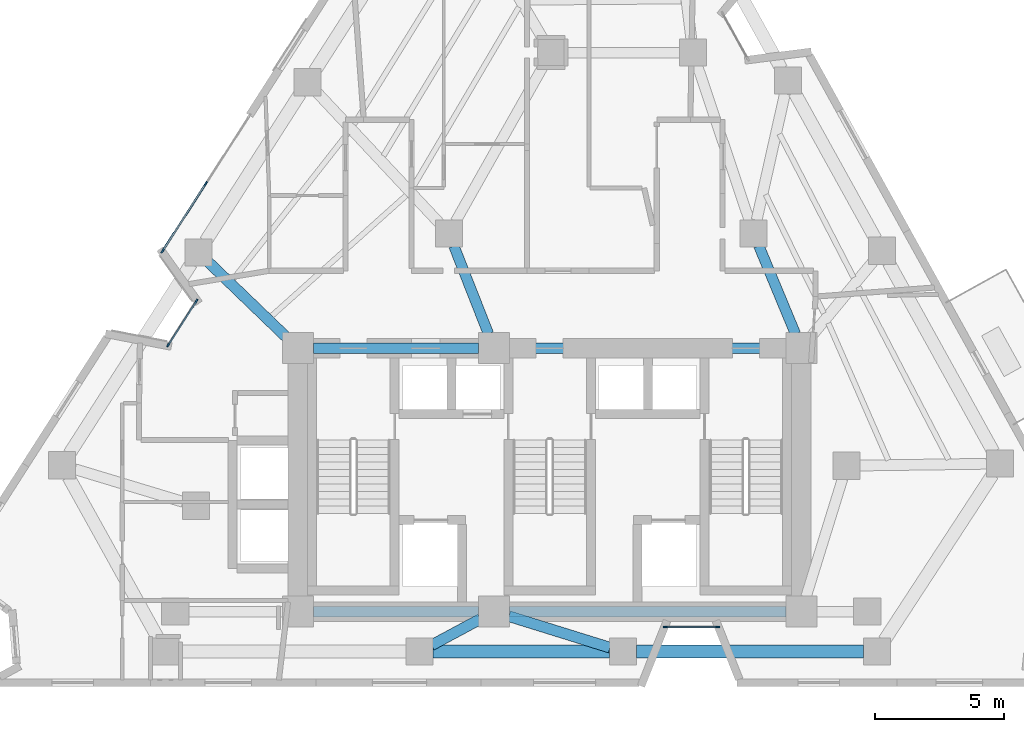
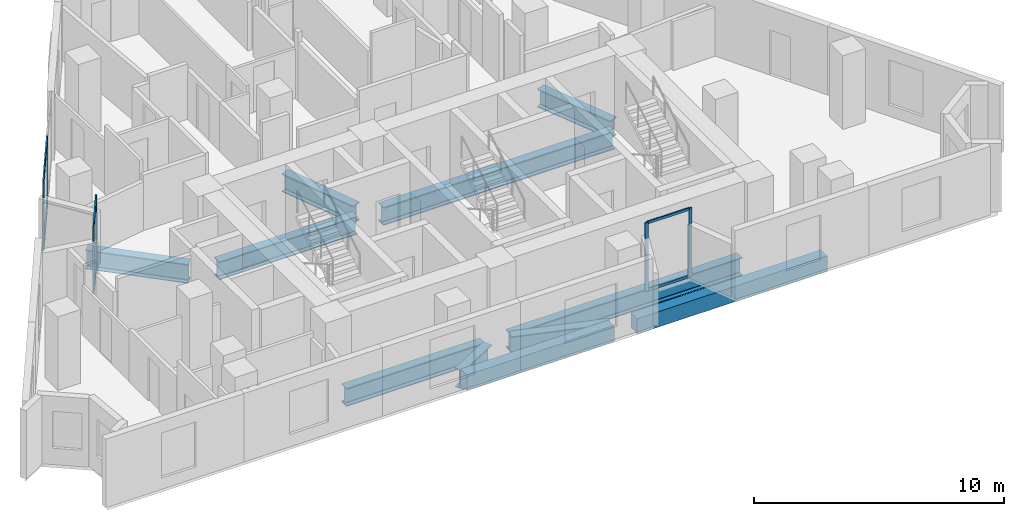
# One storey, part 2 of 11: 12 members, 11 beams, 3 elements without a shape of their own.
"""IFC4 building model written with IfcOpenShell, lengths in metres."""

from ifc_helpers import new_model, si_unit, direction, frame, origin, origin_2d, place, context, subcontext, project, spatial, rectangle, i_section, extrude, material, layer, layer_set, material_profile, profile_set, type_object, element, aggregate, save


model = new_model("IFC4")

# Units and contexts
model_context = context("Model", 3, precision=1e-05, world=origin(), true_north=direction((0.0, 1.0)))
body_context = subcontext(model_context, "Body", "Model", "MODEL_VIEW")
ifc_project = project(units=[si_unit("LENGTHUNIT", "METRE"), si_unit("AREAUNIT", "SQUARE_METRE"), si_unit("VOLUMEUNIT", "CUBIC_METRE"), si_unit("PLANEANGLEUNIT", "RADIAN"), si_unit("MASSUNIT", "GRAM", prefix="KILO")], contexts=[model_context])

# Site, building, storey
site_placement = place(None, origin())
site = spatial("IfcSite", under=ifc_project, at=site_placement, CompositionType="ELEMENT")
building_placement = place(site_placement, origin())
building = spatial("IfcBuilding", under=site, at=building_placement, Name="Almagre Mirador Tower", CompositionType="ELEMENT")
storey_placement = place(building_placement, frame((0.0, 0.0, 160.800048828125)))
storey = spatial("IfcBuildingStorey", under=building, at=storey_placement, Name="L41", CompositionType="ELEMENT", Elevation=160.800048828125)

# Beams
ifc_material_1 = material(Name="Precast concrete C50/60", Category="concrete")
ifc_material_profile_1 = material_profile(ifc_material_1, rectangle(XDim=0.5, YDim=0.75, at=origin_2d()), Name="RC500X750")
ifc_profile_set_1 = profile_set([ifc_material_profile_1], Name="Precast concrete C50/60")
beam_type_1 = type_object("IfcBeamType", Name="BM-SPN-RC500X750", PredefinedType="SPANDREL", material=ifc_profile_set_1)
beam_1_placement = place(storey_placement, frame((32.7890625, 3.0, -0.625), z_axis=(1.0, 0.0, 0.0), x_axis=(0.0, 1.0, 0.0)))
element("IfcBeam", 1, at=beam_1_placement, inside=storey, type_object=beam_type_1, Name="L41 perimeter spandrel beam PC02-PC03", PredefinedType="SPANDREL", context=body_context, shape_type="SweptSolid", body=[
    extrude(rectangle(XDim=0.5, YDim=0.75, at=origin_2d()), origin(), (0.0, 0.0, 1.0), 6.822021484375),
])
beam_2_placement = place(storey_placement, frame((40.660888671875, 3.0, -0.625), z_axis=(1.0, 0.0, 0.0), x_axis=(0.0, 1.0, 0.0)))
element("IfcBeam", 2, at=beam_2_placement, inside=storey, type_object=beam_type_1, Name="L41 perimeter spandrel beam PC03-PC04", PredefinedType="SPANDREL", context=body_context, shape_type="SweptSolid", body=[
    extrude(rectangle(XDim=0.5, YDim=0.75, at=origin_2d()), origin(), (0.0, 0.0, 1.0), 8.7900390625),
])
ifc_material_2 = material(Name="Steel ASTM A992 Grade 50", Category="steel")
ifc_material_profile_2 = material_profile(ifc_material_2, i_section(OverallWidth=0.404052734375, OverallDepth=0.884033203125, WebThickness=0.0244140625, FlangeThickness=0.0439453125, FilletRadius=0.02490234375, at=origin_2d()), Name="W33X291")
ifc_profile_set_2 = profile_set([ifc_material_profile_2], Name="Steel ASTM A992 Grade 50")
beam_type_2 = type_object("IfcBeamType", Name="BM-STL-W33X291", PredefinedType="BEAM", material=ifc_profile_set_2)
beam_3_placement = place(storey_placement, frame((28.14990234375, 4.550048828125, -0.692138671875), z_axis=(1.0, 0.0, 0.0), x_axis=(0.0, 1.0, 0.0)))
element("IfcBeam", 3, at=beam_3_placement, inside=storey, type_object=beam_type_2, Name="L41 core tie girder CC1-CC2", PredefinedType="BEAM", context=body_context, shape_type="SweptSolid", body=[
    extrude(i_section(OverallWidth=0.404052734375, OverallDepth=0.884033203125, WebThickness=0.0244140625, FlangeThickness=0.0439453125, FilletRadius=0.02490234375, at=origin_2d()), origin(), (0.0, 0.0, 1.0), 6.400146484375),
])
beam_4_placement = place(storey_placement, frame((35.75, 4.550048828125, -0.692138671875), z_axis=(1.0, 0.0, 0.0), x_axis=(0.0, 1.0, 0.0)))
element("IfcBeam", 4, at=beam_4_placement, inside=storey, type_object=beam_type_2, Name="L41 core tie girder CC2-CC3", PredefinedType="BEAM", context=body_context, shape_type="SweptSolid", body=[
    extrude(i_section(OverallWidth=0.404052734375, OverallDepth=0.884033203125, WebThickness=0.0244140625, FlangeThickness=0.0439453125, FilletRadius=0.02490234375, at=origin_2d()), origin(), (0.0, 0.0, 1.0), 10.699951171875),
])
beam_5_placement = place(storey_placement, frame((28.14990234375, 14.75, -0.692138671875), z_axis=(1.0, 0.0, 0.0), x_axis=(0.0, 1.0, 0.0)))
element("IfcBeam", 5, at=beam_5_placement, inside=storey, type_object=beam_type_2, Name="L41 core tie girder CC4-CC5", PredefinedType="BEAM", context=body_context, shape_type="SweptSolid", body=[
    extrude(i_section(OverallWidth=0.404052734375, OverallDepth=0.884033203125, WebThickness=0.0244140625, FlangeThickness=0.0439453125, FilletRadius=0.02490234375, at=origin_2d()), origin(), (0.0, 0.0, 1.0), 6.400146484375),
])
beam_6_placement = place(storey_placement, frame((35.75, 14.75, -0.692138671875), z_axis=(1.0, 0.0, 0.0), x_axis=(0.0, 1.0, 0.0)))
element("IfcBeam", 6, at=beam_6_placement, inside=storey, type_object=beam_type_2, Name="L41 core tie girder CC5-CC6", PredefinedType="BEAM", context=body_context, shape_type="SweptSolid", body=[
    extrude(i_section(OverallWidth=0.404052734375, OverallDepth=0.884033203125, WebThickness=0.0244140625, FlangeThickness=0.0439453125, FilletRadius=0.02490234375, at=origin_2d()), origin(), (0.0, 0.0, 1.0), 10.699951171875),
])
beam_7_placement = place(storey_placement, frame((45.401611328125, 18.715087890625, -0.692138671875), z_axis=(0.383845645019, -0.923397271384, 0.0), x_axis=(0.923397271384, 0.383845645019, 0.0)))
element("IfcBeam", 7, at=beam_7_placement, inside=storey, type_object=beam_type_2, Name="L41 core tie girder MC5-CC6", PredefinedType="BEAM", context=body_context, shape_type="SweptSolid", body=[
    extrude(i_section(OverallWidth=0.404052734375, OverallDepth=0.884033203125, WebThickness=0.0244140625, FlangeThickness=0.0439453125, FilletRadius=0.02490234375, at=origin_2d()), origin(), (0.0, 0.0, 1.0), 3.694091796875),
])
beam_8_placement = place(storey_placement, frame((33.592041015625, 18.71142578125, -0.692138671875), z_axis=(0.365997304164, -0.930615910752, 0.0), x_axis=(0.930615910752, 0.365997304164, 0.0)))
element("IfcBeam", 8, at=beam_8_placement, inside=storey, type_object=beam_type_2, Name="L41 core tie girder MC8-CC5", PredefinedType="BEAM", context=body_context, shape_type="SweptSolid", body=[
    extrude(i_section(OverallWidth=0.404052734375, OverallDepth=0.884033203125, WebThickness=0.0244140625, FlangeThickness=0.0439453125, FilletRadius=0.02490234375, at=origin_2d()), origin(), (0.0, 0.0, 1.0), 3.65673828125),
])
ifc_material_3 = material(Name="Steel ASTM A992 Grade 50", Category="steel")
ifc_material_profile_3 = material_profile(ifc_material_3, i_section(OverallWidth=0.41796875, OverallDepth=0.927001953125, WebThickness=0.019287109375, FlangeThickness=0.031982421875, FilletRadius=0.028076171875, at=origin_2d()), Name="W36X231")
ifc_profile_set_3 = profile_set([ifc_material_profile_3], Name="Steel ASTM A992 Grade 50")
beam_type_3 = type_object("IfcBeamType", Name="BM-STL-W36X231", PredefinedType="BEAM", material=ifc_profile_set_3)
beam_9_placement = place(storey_placement, frame((32.7265625, 3.248291015625, -0.713623046875), z_axis=(0.880944482784, 0.473219630038, 0.0), x_axis=(-0.473219630038, 0.880944482784, 0.0)))
element("IfcBeam", 9, at=beam_9_placement, inside=storey, type_object=beam_type_3, Name="L41 radial floor girder PC02-CC2", PredefinedType="BEAM", context=body_context, shape_type="SweptSolid", body=[
    extrude(i_section(OverallWidth=0.41796875, OverallDepth=0.927001953125, WebThickness=0.019287109375, FlangeThickness=0.031982421875, FilletRadius=0.028076171875, at=origin_2d()), origin(), (0.0, 0.0, 1.0), 2.15087890625),
])
beam_10_placement = place(storey_placement, frame((39.634765625, 3.15576171875, -0.713623046875), z_axis=(-0.954923245633, 0.296852816982, 0.0), x_axis=(-0.296852816982, -0.954923245633, 0.0)))
element("IfcBeam", 10, at=beam_10_placement, inside=storey, type_object=beam_type_3, Name="L41 radial floor girder PC03-CC2", PredefinedType="BEAM", context=body_context, shape_type="SweptSolid", body=[
    extrude(i_section(OverallWidth=0.41796875, OverallDepth=0.927001953125, WebThickness=0.019287109375, FlangeThickness=0.031982421875, FilletRadius=0.028076171875, at=origin_2d()), origin(), (0.0, 0.0, 1.0), 4.096435546875),
])
beam_11_placement = place(storey_placement, frame((24.076416015625, 18.093017578125, -0.713623046875), z_axis=(0.720511778148, -0.693442699544, 0.0), x_axis=(0.693442699544, 0.720511778148, 0.0)))
element("IfcBeam", 11, at=beam_11_placement, inside=storey, type_object=beam_type_3, Name="L41 radial floor girder PC11-CC4", PredefinedType="BEAM", context=body_context, shape_type="SweptSolid", body=[
    extrude(i_section(OverallWidth=0.41796875, OverallDepth=0.927001953125, WebThickness=0.019287109375, FlangeThickness=0.031982421875, FilletRadius=0.028076171875, at=origin_2d()), origin(), (0.0, 0.0, 1.0), 4.220947265625),
])

# Curtain wall, members
ifc_material_4 = material(Name="Black anodized aluminium", Category="aluminium")
ifc_layer_1 = layer(ifc_material_4, 0.169921875)
ifc_layer_set_1 = layer_set([ifc_layer_1], Name="Black anodized aluminium")
curtain_wall_type_1 = type_object("IfcCurtainWallType", Name="CW-CRS-SYS", PredefinedType="NOTDEFINED", material=ifc_layer_set_1)
curtain_wall_1_placement = place(storey_placement, origin())
curtain_wall_1 = element("IfcCurtainWall", 12, at=curtain_wall_1_placement, inside=storey, type_object=curtain_wall_type_1, Name="L41 vertical crease curtain wall 01", PredefinedType="NOTDEFINED")
ifc_material_5 = material(Name="Black anodized aluminium", Category="aluminium")
ifc_material_profile_4 = material_profile(ifc_material_5, rectangle(XDim=0.06005859375, YDim=0.14990234375, at=origin_2d()), Name="CWM60X150")
ifc_profile_set_4 = profile_set([ifc_material_profile_4], Name="Black anodized aluminium")
member_type_1 = type_object("IfcMemberType", Name="MBR-CWM60X150", PredefinedType="MULLION", material=ifc_profile_set_4)
member_1_placement = place(storey_placement, frame((22.529296875, 14.871337890625, 0.0), z_axis=(0.0, 0.0, 1.0), x_axis=(-0.841923718176, 0.539596564827, 0.0)))
member_1 = element("IfcMember", 13, at=member_1_placement, type_object=member_type_1, Name="CW-4 mullion 1", PredefinedType="MULLION", context=body_context, shape_type="SweptSolid", body=[
    extrude(rectangle(XDim=0.06005859375, YDim=0.14990234375, at=origin_2d()), origin(), (0.0, 0.0, 1.0), 3.349853515625),
])
member_2_placement = place(storey_placement, frame((23.624755859375, 16.580810546875, 0.0), z_axis=(0.0, 0.0, 1.0), x_axis=(-0.841923718176, 0.539596564827, 0.0)))
member_2 = element("IfcMember", 14, at=member_2_placement, type_object=member_type_1, Name="CW-4 mullion 2", PredefinedType="MULLION", context=body_context, shape_type="SweptSolid", body=[
    extrude(rectangle(XDim=0.06005859375, YDim=0.14990234375, at=origin_2d()), origin(), (0.0, 0.0, 1.0), 3.349853515625),
])

curtain_wall_2_placement = place(storey_placement, origin())
curtain_wall_2 = element("IfcCurtainWall", 15, at=curtain_wall_2_placement, inside=storey, type_object=curtain_wall_type_1, Name="L41 vertical crease curtain wall 04", PredefinedType="NOTDEFINED")
member_3_placement = place(storey_placement, frame((43.806884765625, 3.949951171875, 0.0), z_axis=(0.0, 0.0, 1.0), x_axis=(0.0, -1.0, 0.0)))
member_3 = element("IfcMember", 16, at=member_3_placement, type_object=member_type_1, Name="CW-4 mullion 1", PredefinedType="MULLION", context=body_context, shape_type="SweptSolid", body=[
    extrude(rectangle(XDim=0.06005859375, YDim=0.14990234375, at=origin_2d()), origin(), (0.0, 0.0, 1.0), 3.349853515625),
])
member_4_placement = place(storey_placement, frame((41.777099609375, 3.949951171875, 0.0), z_axis=(0.0, 0.0, 1.0), x_axis=(0.0, -1.0, 0.0)))
member_4 = element("IfcMember", 17, at=member_4_placement, type_object=member_type_1, Name="CW-4 mullion 2", PredefinedType="MULLION", context=body_context, shape_type="SweptSolid", body=[
    extrude(rectangle(XDim=0.06005859375, YDim=0.14990234375, at=origin_2d()), origin(), (0.0, 0.0, 1.0), 3.349853515625),
])

ifc_material_6 = material(Name="Black anodized aluminium", Category="aluminium")
ifc_layer_2 = layer(ifc_material_6, 0.199951171875)
ifc_layer_set_2 = layer_set([ifc_layer_2], Name="Black anodized aluminium")
curtain_wall_type_2 = type_object("IfcCurtainWallType", Name="CW-RES-H-SYS", PredefinedType="NOTDEFINED", material=ifc_layer_set_2)
curtain_wall_3_placement = place(storey_placement, origin())
curtain_wall_3 = element("IfcCurtainWall", 18, at=curtain_wall_3_placement, inside=storey, type_object=curtain_wall_type_2, Name="L41 curtain wall run 02", PredefinedType="NOTDEFINED")
ifc_material_7 = material(Name="Black anodized aluminium", Category="aluminium")
ifc_material_profile_5 = material_profile(ifc_material_7, rectangle(XDim=0.06494140625, YDim=0.179931640625, at=origin_2d()), Name="CWM65X180")
ifc_profile_set_5 = profile_set([ifc_material_profile_5], Name="Black anodized aluminium")
member_type_2 = type_object("IfcMemberType", Name="MBR-CWM65X180", PredefinedType="MULLION", material=ifc_profile_set_5)
member_5_placement = place(storey_placement, frame((22.3095703125, 18.512451171875, 0.0), z_axis=(0.0, 0.0, 1.0), x_axis=(-0.841981168669, 0.539506915253, 0.0)))
member_5 = element("IfcMember", 19, at=member_5_placement, type_object=member_type_2, Name="CW-3 mullion 1", PredefinedType="MULLION", context=body_context, shape_type="SweptSolid", body=[
    extrude(rectangle(XDim=0.06494140625, YDim=0.179931640625, at=origin_2d()), origin(), (0.0, 0.0, 1.0), 3.349853515625),
])
member_6_placement = place(storey_placement, frame((23.98583984375, 21.12841796875, 0.0), z_axis=(0.0, 0.0, 1.0), x_axis=(-0.841981168669, 0.539506915253, 0.0)))
member_6 = element("IfcMember", 20, at=member_6_placement, type_object=member_type_2, Name="CW-3 mullion 2", PredefinedType="MULLION", context=body_context, shape_type="SweptSolid", body=[
    extrude(rectangle(XDim=0.06494140625, YDim=0.179931640625, at=origin_2d()), origin(), (0.0, 0.0, 1.0), 3.349853515625),
])

# Member
ifc_material_8 = material(Name="Black anodized aluminium", Category="aluminium")
ifc_material_profile_6 = material_profile(ifc_material_8, rectangle(XDim=0.06005859375, YDim=0.1298828125, at=origin_2d()), Name="CWT60X130")
ifc_profile_set_6 = profile_set([ifc_material_profile_6], Name="Black anodized aluminium")
member_type_3 = type_object("IfcMemberType", Name="MBR-CWT60X130", PredefinedType="USERDEFINED", material=ifc_profile_set_6)
member_7_placement = place(storey_placement, frame((22.54541015625, 14.896484375, 0.030029296875), z_axis=(0.539598560897, 0.841922438873, 0.0), x_axis=(-0.841922438873, 0.539598560897, 0.0)))
member_7 = element("IfcMember", 21, at=member_7_placement, type_object=member_type_3, Name="CW-4 transom 1.1", ObjectType="TRANSOM", PredefinedType="USERDEFINED", context=body_context, shape_type="SweptSolid", body=[
    extrude(rectangle(XDim=0.06005859375, YDim=0.1298828125, at=origin_2d()), origin(), (0.0, 0.0, 1.0), 1.970458984375),
])

member_8_placement = place(storey_placement, frame((22.54541015625, 14.896484375, 3.320068359375), z_axis=(0.539598560897, 0.841922438873, 0.0), x_axis=(-0.841922438873, 0.539598560897, 0.0)))
member_8 = element("IfcMember", 22, at=member_8_placement, type_object=member_type_3, Name="CW-4 transom 1.2", ObjectType="TRANSOM", PredefinedType="USERDEFINED", context=body_context, shape_type="SweptSolid", body=[
    extrude(rectangle(XDim=0.06005859375, YDim=0.1298828125, at=origin_2d()), origin(), (0.0, 0.0, 1.0), 1.970458984375),
])

aggregate(curtain_wall_1, [member_1, member_2, member_7, member_8])

member_9_placement = place(storey_placement, frame((43.777099609375, 3.949951171875, 0.030029296875), z_axis=(-1.0, 0.0, 0.0), x_axis=(0.0, -1.0, 0.0)))
member_9 = element("IfcMember", 23, at=member_9_placement, type_object=member_type_3, Name="CW-4 transom 1.1", ObjectType="TRANSOM", PredefinedType="USERDEFINED", context=body_context, shape_type="SweptSolid", body=[
    extrude(rectangle(XDim=0.06005859375, YDim=0.1298828125, at=origin_2d()), origin(), (0.0, 0.0, 1.0), 1.97021484375),
])

member_10_placement = place(storey_placement, frame((43.777099609375, 3.949951171875, 3.320068359375), z_axis=(-1.0, 0.0, 0.0), x_axis=(0.0, -1.0, 0.0)))
member_10 = element("IfcMember", 24, at=member_10_placement, type_object=member_type_3, Name="CW-4 transom 1.2", ObjectType="TRANSOM", PredefinedType="USERDEFINED", context=body_context, shape_type="SweptSolid", body=[
    extrude(rectangle(XDim=0.06005859375, YDim=0.1298828125, at=origin_2d()), origin(), (0.0, 0.0, 1.0), 1.97021484375),
])

aggregate(curtain_wall_2, [member_3, member_4, member_9, member_10])

ifc_material_9 = material(Name="Black anodized aluminium", Category="aluminium")
ifc_material_profile_7 = material_profile(ifc_material_9, rectangle(XDim=0.06494140625, YDim=0.14990234375, at=origin_2d()), Name="CWT65X150")
ifc_profile_set_7 = profile_set([ifc_material_profile_7], Name="Black anodized aluminium")
member_type_4 = type_object("IfcMemberType", Name="MBR-CWT65X150", PredefinedType="USERDEFINED", material=ifc_profile_set_7)
member_11_placement = place(storey_placement, frame((22.3271484375, 18.539794921875, 0.032470703125), z_axis=(0.539495452164, 0.841988513635, 0.0), x_axis=(-0.841988513635, 0.539495452164, 0.0)))
member_11 = element("IfcMember", 25, at=member_11_placement, type_object=member_type_4, Name="CW-3 transom 1.1", ObjectType="TRANSOM", PredefinedType="USERDEFINED", context=body_context, shape_type="SweptSolid", body=[
    extrude(rectangle(XDim=0.06494140625, YDim=0.14990234375, at=origin_2d()), origin(), (0.0, 0.0, 1.0), 3.0419921875),
])

member_12_placement = place(storey_placement, frame((22.3271484375, 18.539794921875, 3.3173828125), z_axis=(0.539495452164, 0.841988513635, 0.0), x_axis=(-0.841988513635, 0.539495452164, 0.0)))
member_12 = element("IfcMember", 26, at=member_12_placement, type_object=member_type_4, Name="CW-3 transom 1.2", ObjectType="TRANSOM", PredefinedType="USERDEFINED", context=body_context, shape_type="SweptSolid", body=[
    extrude(rectangle(XDim=0.06494140625, YDim=0.14990234375, at=origin_2d()), origin(), (0.0, 0.0, 1.0), 3.0419921875),
])

aggregate(curtain_wall_3, [member_5, member_6, member_11, member_12])

save(model, "model.ifc")
